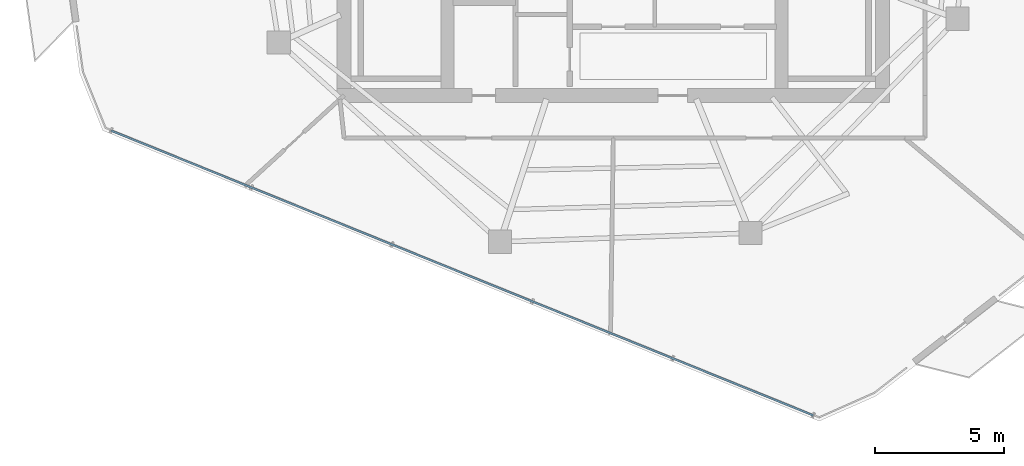
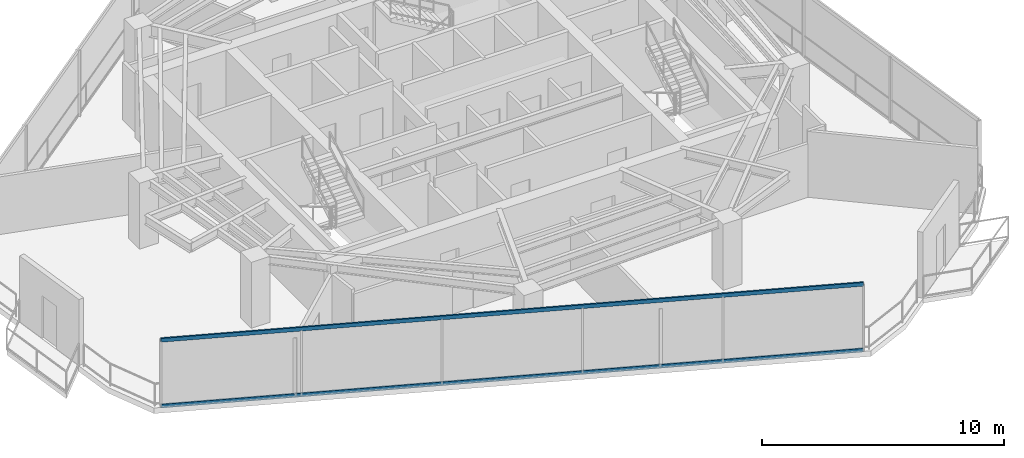
# One storey, part 3 of 19: 2 members, 1 element without a shape of its own.
"""IFC4 building model written with IfcOpenShell, lengths in metres."""

from ifc_helpers import new_model, si_unit, direction, frame, origin, origin_2d, place, context, subcontext, project, spatial, hollow_rectangle, extrude, material, layer, layer_set, material_profile, profile_set, type_object, element, aggregate, save


model = new_model("IFC4")

# Units and contexts
model_context = context("Model", 3, precision=1e-05, world=origin(), true_north=direction((0.0, 1.0)))
body_context = subcontext(model_context, "Body", "Model", "MODEL_VIEW")
ifc_project = project(units=[si_unit("LENGTHUNIT", "METRE"), si_unit("AREAUNIT", "SQUARE_METRE"), si_unit("VOLUMEUNIT", "CUBIC_METRE"), si_unit("PLANEANGLEUNIT", "RADIAN"), si_unit("MASSUNIT", "GRAM", prefix="KILO")], contexts=[model_context])

# Site, building, storey
site_placement = place(None, origin())
site = spatial("IfcSite", under=ifc_project, at=site_placement, CompositionType="ELEMENT")
building_placement = place(site_placement, origin())
building = spatial("IfcBuilding", under=site, at=building_placement, Name="Qarnah Convention Tower", CompositionType="ELEMENT")
storey_placement = place(building_placement, frame((0.0, 0.0, 209.39990234375)))
storey = spatial("IfcBuildingStorey", under=building, at=storey_placement, Name="L56", CompositionType="ELEMENT", Elevation=209.39990234375)

# Curtain wall, members
ifc_material_1 = material(Name="Tempered Low-E dark glass", Category="glass")
ifc_layer = layer(ifc_material_1, 0.174072265625)
ifc_layer_set = layer_set([ifc_layer], Name="Tempered Low-E dark glass")
curtain_wall_type = type_object("IfcCurtainWallType", Name="CWS-04", PredefinedType="NOTDEFINED", material=ifc_layer_set)
curtain_wall_placement = place(storey_placement, origin())
curtain_wall = element("IfcCurtainWall", 1, at=curtain_wall_placement, inside=storey, type_object=curtain_wall_type, Name="L56 unitised curtain wall CW-L56-F2", PredefinedType="NOTDEFINED")
ifc_material_2 = material(Name="Black anodised aluminium", Category="aluminium")
ifc_material_profile = material_profile(ifc_material_2, hollow_rectangle(XDim=0.074951171875, YDim=0.18994140625, WallThickness=0.0048828125, at=origin_2d()), Name="TRN-75X190")
ifc_profile_set = profile_set([ifc_material_profile], Name="Black anodised aluminium")
member_type = type_object("IfcMemberType", Name="TRN-T4", PredefinedType="USERDEFINED", material=ifc_profile_set)
member_1_placement = place(storey_placement, frame((44.925048828125, 6.236083984375, 0.0), z_axis=(-0.926673643333, 0.375866942884, 0.0), x_axis=(-0.375866942884, -0.926673643333, 0.0)))
member_1 = element("IfcMember", 2, at=member_1_placement, type_object=member_type, Name="CW-L56-F2 transom 1", ObjectType="TRANSOM", PredefinedType="USERDEFINED", context=body_context, shape_type="SweptSolid", body=[
    extrude(hollow_rectangle(XDim=0.074951171875, YDim=0.18994140625, WallThickness=0.0048828125, at=origin_2d()), origin(), (0.0, 0.0, 1.0), 29.2734375),
])
member_2_placement = place(storey_placement, frame((44.925048828125, 6.236083984375, 3.320068359375), z_axis=(-0.926673643333, 0.375866942884, 0.0), x_axis=(-0.375866942884, -0.926673643333, 0.0)))
member_2 = element("IfcMember", 3, at=member_2_placement, type_object=member_type, Name="CW-L56-F2 transom 2", ObjectType="TRANSOM", PredefinedType="USERDEFINED", context=body_context, shape_type="SweptSolid", body=[
    extrude(hollow_rectangle(XDim=0.074951171875, YDim=0.18994140625, WallThickness=0.0048828125, at=origin_2d()), origin(), (0.0, 0.0, 1.0), 29.2734375),
])
aggregate(curtain_wall, [member_1, member_2])

save(model, "model.ifc")
